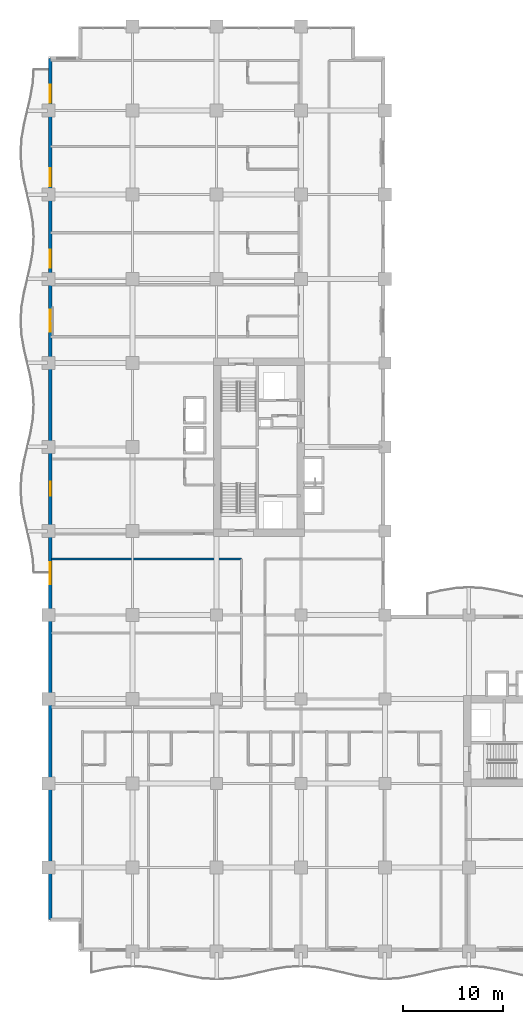
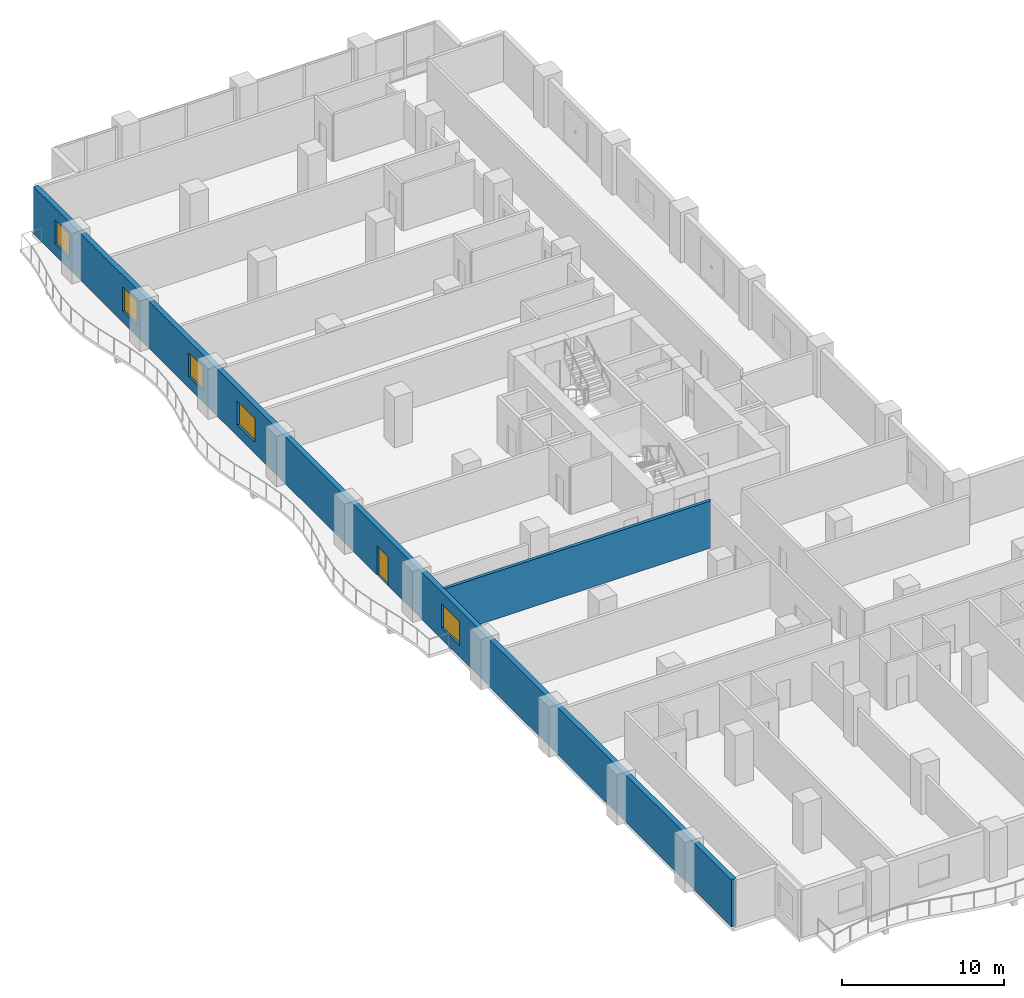
# One storey, part 9 of 20: 5 windows, 2 walls, 1 door, 6 openings.
"""IFC4 building model written with IfcOpenShell, lengths in metres."""

from ifc_helpers import new_model, si_unit, direction, frame, frame_2d, origin, place, context, subcontext, project, spatial, rectangle, extrude, material, layer, layer_set, type_object, element, fill, save


model = new_model("IFC4")

# Units and contexts
model_context = context("Model", 3, precision=1e-05, world=origin(), true_north=direction((0.0, 1.0)))
body_context = subcontext(model_context, "Body", "Model", "MODEL_VIEW")
ifc_project = project(units=[si_unit("LENGTHUNIT", "METRE"), si_unit("AREAUNIT", "SQUARE_METRE"), si_unit("VOLUMEUNIT", "CUBIC_METRE"), si_unit("PLANEANGLEUNIT", "RADIAN"), si_unit("MASSUNIT", "GRAM", prefix="KILO")], contexts=[model_context])

# Site, building, storey
site_placement = place(None, origin())
site = spatial("IfcSite", under=ifc_project, at=site_placement, CompositionType="ELEMENT")
building_placement = place(site_placement, origin())
building = spatial("IfcBuilding", under=site, at=building_placement, Name="Koriwani Terraces Tower", CompositionType="ELEMENT")
storey_placement = place(building_placement, frame((0.0, 0.0, 126.60009765625)))
storey = spatial("IfcBuildingStorey", under=building, at=storey_placement, Name="L30", CompositionType="ELEMENT", Elevation=126.60009765625)

# Wall
ifc_material_1 = material(Name="Autoclaved Cellular Concrete Blockwork", Category="masonry")
ifc_layer_1 = layer(ifc_material_1, 0.219970703125, Name="Autoclaved Cellular Concrete Blockwork")
ifc_layer_set_1 = layer_set([ifc_layer_1], Name="Autoclaved Cellular Concrete Blockwork")
wall_type_1 = type_object("IfcWallType", Name="WALL_DEMISING_220", PredefinedType="PARTITIONING", material=ifc_layer_set_1)
wall_1_placement = place(storey_placement, frame((0.300048828125, 39.199951171875, 0.0), z_axis=(0.0, 0.0, 1.0), x_axis=(1.0, 0.0, 0.0)))
element("IfcWall", 1, at=wall_1_placement, inside=storey, type_object=wall_type_1, Name="L30 Interior Wall WC2NWCLN-L30", PredefinedType="PARTITIONING", context=body_context, shape_type="SweptSolid", body=[
    extrude(rectangle(XDim=19.0, YDim=0.219970703125, at=frame_2d((9.5, 0.0))), origin(), (0.0, 0.0, 1.0), 3.5498046875),
])

# Wall, openings, door, windows
ifc_material_2 = material(Name="Concrete C50/60", Category="concrete")
ifc_layer_2 = layer(ifc_material_2, 0.35009765625, Name="Concrete C50/60")
ifc_layer_set_2 = layer_set([ifc_layer_2], Name="Concrete C50/60")
wall_type_2 = type_object("IfcWallType", Name="WALL_EXT_BRUTALIST_350", PredefinedType="STANDARD", material=ifc_layer_set_2)
wall_2_placement = place(storey_placement, frame((0.175048828125, 3.175048828125, 0.0), z_axis=(0.0, 0.0, 1.0), x_axis=(0.0, 1.0, 0.0)))
wall_2 = element("IfcWall", 2, at=wall_2_placement, inside=storey, type_object=wall_type_2, Name="L30 Fair-Faced Brutalist Exterior Wall (W)", PredefinedType="STANDARD", context=body_context, shape_type="SweptSolid", body=[
    extrude(rectangle(XDim=86.050048828125, YDim=0.35009765625, at=frame_2d((43.02490234375, 0.0))), origin(), (0.0, 0.0, 1.0), 3.5498046875),
])
opening_1_placement = place(wall_2_placement, frame((42.324951171875, 0.0, 0.0)))
opening_1 = element("IfcOpeningElement", 3, at=opening_1_placement, cuts=wall_2, Name="Opening D-09", PredefinedType="OPENING", context=body_context, shape_type="SweptSolid", body=[
    extrude(rectangle(XDim=1.39990234375, YDim=2.199951171875, at=frame_2d((0.699951171875, 1.10009765625))), frame((0.0, 0.18505859375, 0.0), z_axis=(0.0, -1.0, 0.0), x_axis=(1.0, 0.0, 0.0)), (0.0, 0.0, 1.0), 0.3701171875),
])
opening_2_placement = place(wall_2_placement, frame((33.52490234375, 0.0, 0.85009765625)))
opening_2 = element("IfcOpeningElement", 4, at=opening_2_placement, cuts=wall_2, Name="Opening W-01", PredefinedType="OPENING", context=body_context, shape_type="SweptSolid", body=[
    extrude(rectangle(XDim=2.199951171875, YDim=1.800048828125, at=frame_2d((1.10009765625, 0.89990234375))), frame((0.0, 0.18505859375, 0.0), z_axis=(0.0, -1.0, 0.0), x_axis=(1.0, 0.0, 0.0)), (0.0, 0.0, 1.0), 0.3701171875),
])
opening_3_placement = place(wall_2_placement, frame((58.72509765625, 0.0, 0.85009765625)))
opening_3 = element("IfcOpeningElement", 5, at=opening_3_placement, cuts=wall_2, Name="Opening W-01", PredefinedType="OPENING", context=body_context, shape_type="SweptSolid", body=[
    extrude(rectangle(XDim=2.199951171875, YDim=1.800048828125, at=frame_2d((1.10009765625, 0.89990234375))), frame((0.0, 0.18505859375, 0.0), z_axis=(0.0, -1.0, 0.0), x_axis=(1.0, 0.0, 0.0)), (0.0, 0.0, 1.0), 0.3701171875),
])
opening_4_placement = place(wall_2_placement, frame((65.125, 0.0, 0.85009765625)))
opening_4 = element("IfcOpeningElement", 6, at=opening_4_placement, cuts=wall_2, Name="Opening W-04", PredefinedType="OPENING", context=body_context, shape_type="SweptSolid", body=[
    extrude(rectangle(XDim=1.800048828125, YDim=1.800048828125, at=frame_2d((0.89990234375, 0.89990234375))), frame((0.0, 0.18505859375, 0.0), z_axis=(0.0, -1.0, 0.0), x_axis=(1.0, 0.0, 0.0)), (0.0, 0.0, 1.0), 0.3701171875),
])
opening_5_placement = place(wall_2_placement, frame((73.27490234375, 0.0, 0.85009765625)))
opening_5 = element("IfcOpeningElement", 7, at=opening_5_placement, cuts=wall_2, Name="Opening W-04", PredefinedType="OPENING", context=body_context, shape_type="SweptSolid", body=[
    extrude(rectangle(XDim=1.800048828125, YDim=1.800048828125, at=frame_2d((0.89990234375, 0.89990234375))), frame((0.0, 0.18505859375, 0.0), z_axis=(0.0, -1.0, 0.0), x_axis=(1.0, 0.0, 0.0)), (0.0, 0.0, 1.0), 0.3701171875),
])
opening_6_placement = place(wall_2_placement, frame((81.625, 0.0, 0.85009765625)))
opening_6 = element("IfcOpeningElement", 8, at=opening_6_placement, cuts=wall_2, Name="Opening W-04", PredefinedType="OPENING", context=body_context, shape_type="SweptSolid", body=[
    extrude(rectangle(XDim=1.800048828125, YDim=1.800048828125, at=frame_2d((0.89990234375, 0.89990234375))), frame((0.0, 0.18505859375, 0.0), z_axis=(0.0, -1.0, 0.0), x_axis=(1.0, 0.0, 0.0)), (0.0, 0.0, 1.0), 0.3701171875),
])
ifc_material_3 = material(Name="Anodised Bronze Aluminium", Category="aluminium")
door_type = type_object("IfcDoorType", Name="DOOR_BALCONY_GLAZED_1400X2200", OperationType="NOTDEFINED", PredefinedType="DOOR", material=ifc_material_3)
door_placement = place(opening_1_placement, origin())
door = element("IfcDoor", 9, at=door_placement, inside=storey, type_object=door_type, Name="L30 West Balcony Glazed Door", OperationType="SINGLE_SWING_LEFT", OverallHeight=2.199951171875, OverallWidth=1.39990234375, PredefinedType="DOOR", context=body_context, shape_type="SweptSolid", body=[
    extrude(rectangle(XDim=1.39990234375, YDim=2.199951171875, at=frame_2d((0.699951171875, 1.10009765625))), frame((0.0, 0.02490234375, 0.0), z_axis=(0.0, -1.0, 0.0), x_axis=(1.0, 0.0, 0.0)), (0.0, 0.0, 1.0), 0.050048828125),
])
fill(opening_1, door)
ifc_material_4 = material(Name="Tempered Laminated Low-E Glass", Category="glass")
window_type_1 = type_object("IfcWindowType", Name="WIN_HOTEL_STD_2200X1800", PartitioningType="DOUBLE_PANEL_VERTICAL", PredefinedType="WINDOW", material=ifc_material_4)
window_1_placement = place(opening_2_placement, origin())
window_1 = element("IfcWindow", 10, at=window_1_placement, inside=storey, type_object=window_type_1, Name="L30 Exterior Window (W-12)", OverallHeight=1.800048828125, OverallWidth=2.199951171875, PartitioningType="SINGLE_PANEL", PredefinedType="WINDOW", context=body_context, shape_type="SweptSolid", body=[
    extrude(rectangle(XDim=2.199951171875, YDim=1.800048828125, at=frame_2d((1.10009765625, 0.89990234375))), frame((0.0, 0.030029296875, 0.0), z_axis=(0.0, -1.0, 0.0), x_axis=(1.0, 0.0, 0.0)), (0.0, 0.0, 1.0), 0.06005859375),
])
fill(opening_2, window_1)
window_2_placement = place(opening_3_placement, origin())
window_2 = element("IfcWindow", 11, at=window_2_placement, inside=storey, type_object=window_type_1, Name="L30 Exterior Window (W-21)", OverallHeight=1.800048828125, OverallWidth=2.199951171875, PartitioningType="SINGLE_PANEL", PredefinedType="WINDOW", context=body_context, shape_type="SweptSolid", body=[
    extrude(rectangle(XDim=2.199951171875, YDim=1.800048828125, at=frame_2d((1.10009765625, 0.89990234375))), frame((0.0, 0.030029296875, 0.0), z_axis=(0.0, -1.0, 0.0), x_axis=(1.0, 0.0, 0.0)), (0.0, 0.0, 1.0), 0.06005859375),
])
fill(opening_3, window_2)
window_type_2 = type_object("IfcWindowType", Name="WIN_RES_BED_1800X1800", PartitioningType="DOUBLE_PANEL_VERTICAL", PredefinedType="WINDOW", material=ifc_material_4)
window_3_placement = place(opening_4_placement, origin())
window_3 = element("IfcWindow", 12, at=window_3_placement, inside=storey, type_object=window_type_2, Name="L30 Exterior Window (W-R47)", OverallHeight=1.800048828125, OverallWidth=1.800048828125, PartitioningType="SINGLE_PANEL", PredefinedType="WINDOW", context=body_context, shape_type="SweptSolid", body=[
    extrude(rectangle(XDim=1.800048828125, YDim=1.800048828125, at=frame_2d((0.89990234375, 0.89990234375))), frame((0.0, 0.030029296875, 0.0), z_axis=(0.0, -1.0, 0.0), x_axis=(1.0, 0.0, 0.0)), (0.0, 0.0, 1.0), 0.06005859375),
])
fill(opening_4, window_3)
window_4_placement = place(opening_5_placement, origin())
window_4 = element("IfcWindow", 13, at=window_4_placement, inside=storey, type_object=window_type_2, Name="L30 Exterior Window (W-R49)", OverallHeight=1.800048828125, OverallWidth=1.800048828125, PartitioningType="SINGLE_PANEL", PredefinedType="WINDOW", context=body_context, shape_type="SweptSolid", body=[
    extrude(rectangle(XDim=1.800048828125, YDim=1.800048828125, at=frame_2d((0.89990234375, 0.89990234375))), frame((0.0, 0.030029296875, 0.0), z_axis=(0.0, -1.0, 0.0), x_axis=(1.0, 0.0, 0.0)), (0.0, 0.0, 1.0), 0.06005859375),
])
fill(opening_5, window_4)
window_5_placement = place(opening_6_placement, origin())
window_5 = element("IfcWindow", 14, at=window_5_placement, inside=storey, type_object=window_type_2, Name="L30 Exterior Window (W-R51)", OverallHeight=1.800048828125, OverallWidth=1.800048828125, PartitioningType="SINGLE_PANEL", PredefinedType="WINDOW", context=body_context, shape_type="SweptSolid", body=[
    extrude(rectangle(XDim=1.800048828125, YDim=1.800048828125, at=frame_2d((0.89990234375, 0.89990234375))), frame((0.0, 0.030029296875, 0.0), z_axis=(0.0, -1.0, 0.0), x_axis=(1.0, 0.0, 0.0)), (0.0, 0.0, 1.0), 0.06005859375),
])
fill(opening_6, window_5)

save(model, "model.ifc")
